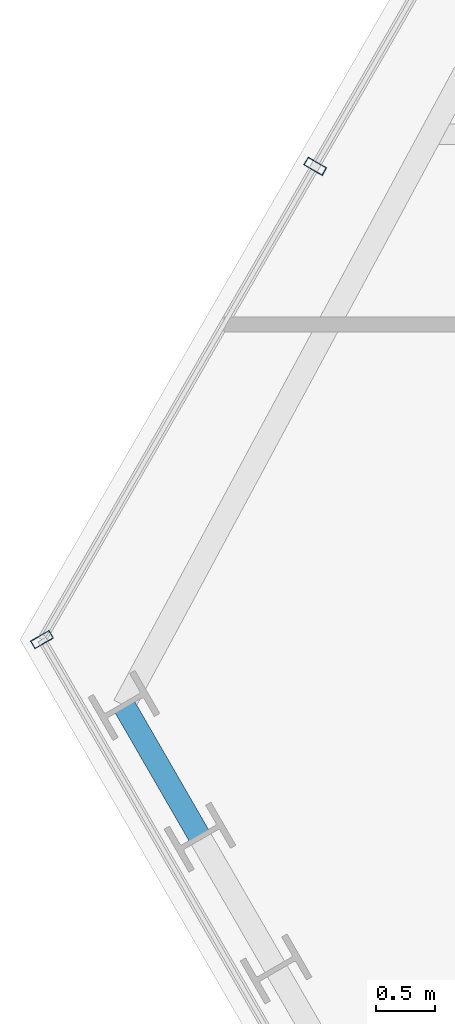
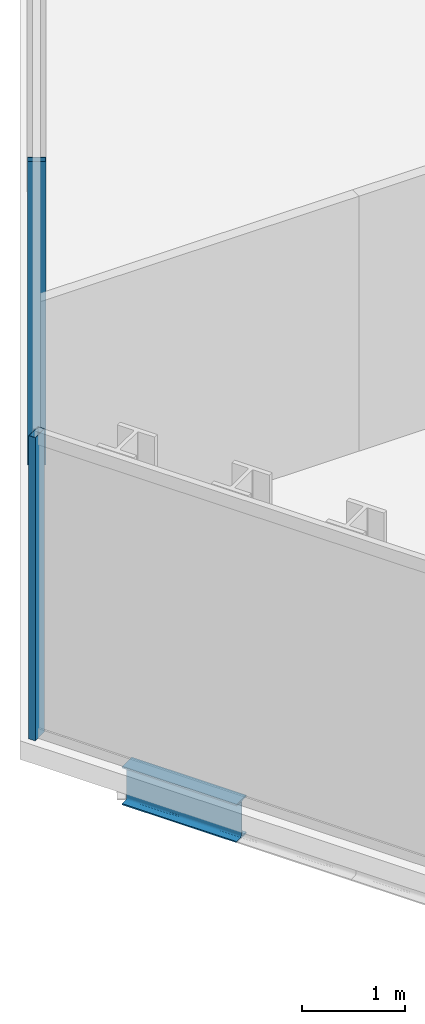
# One storey, part 5 of 33: 2 members, 1 beam, 2 elements without a shape of their own.
"""IFC4 building model written with IfcOpenShell, lengths in metres."""

from ifc_helpers import new_model, si_unit, direction, frame, origin, origin_2d, place, context, subcontext, project, spatial, hollow_rectangle, i_section, extrude, material, layer, layer_set, material_profile, profile_set, type_object, element, aggregate, save


model = new_model("IFC4")

# Units and contexts
model_context = context("Model", 3, precision=1e-05, world=origin(), true_north=direction((0.0, 1.0)))
body_context = subcontext(model_context, "Body", "Model", "MODEL_VIEW")
ifc_project = project(units=[si_unit("LENGTHUNIT", "METRE"), si_unit("AREAUNIT", "SQUARE_METRE"), si_unit("VOLUMEUNIT", "CUBIC_METRE"), si_unit("PLANEANGLEUNIT", "RADIAN"), si_unit("MASSUNIT", "GRAM", prefix="KILO")], contexts=[model_context])

# Site, building, storey
site_placement = place(None, origin())
site = spatial("IfcSite", under=ifc_project, at=site_placement, CompositionType="ELEMENT")
building_placement = place(site_placement, origin())
building = spatial("IfcBuilding", under=site, at=building_placement, Name="Ndaravel Arena Tower", CompositionType="ELEMENT")
storey_placement = place(building_placement, frame((0.0, 0.0, 165.0)))
storey = spatial("IfcBuildingStorey", under=building, at=storey_placement, Name="L39", CompositionType="ELEMENT", Elevation=165.0)

# Beam
ifc_material_1 = material(Name="Steel S355", Category="steel")
ifc_material_profile_1 = material_profile(ifc_material_1, i_section(OverallWidth=0.18994140625, OverallDepth=0.449951171875, WebThickness=0.009521484375, FlangeThickness=0.0146484375, FilletRadius=0.02099609375, at=origin_2d()), Name="IPE 450")
ifc_profile_set_1 = profile_set([ifc_material_profile_1], Name="Steel S355")
beam_type = type_object("IfcBeamType", Name="BM-SPAN-IPE450", PredefinedType="SPANDREL", material=ifc_profile_set_1)
beam_placement = place(storey_placement, frame((18.994140625, 13.794189453125, -0.445068359375), z_axis=(0.499893060024, -0.866087136806, 0.0), x_axis=(0.866087136806, 0.499893060024, 0.0)))
element("IfcBeam", 1, at=beam_placement, inside=storey, type_object=beam_type, Name="L39 Perimeter Spandrel Beam SP-20", PredefinedType="SPANDREL", context=body_context, shape_type="SweptSolid", body=[
    extrude(i_section(OverallWidth=0.18994140625, OverallDepth=0.449951171875, WebThickness=0.009521484375, FlangeThickness=0.0146484375, FilletRadius=0.02099609375, at=origin_2d()), origin(), (0.0, 0.0, 1.0), 1.280029296875),
])

# Curtain wall, member
ifc_material_2 = material(Name="Aluminium", Category="aluminium")
ifc_layer_1 = layer(ifc_material_2, 0.179931640625)
ifc_layer_set_1 = layer_set([ifc_layer_1], Name="Aluminium")
curtain_wall_type_1 = type_object("IfcCurtainWallType", Name="CW-SYS-03", PredefinedType="NOTDEFINED", material=ifc_layer_set_1)
curtain_wall_1_placement = place(storey_placement, origin())
curtain_wall_1 = element("IfcCurtainWall", 2, at=curtain_wall_1_placement, inside=storey, type_object=curtain_wall_type_1, Name="L39 Faceted Crystal Curtain Wall CW-L39-E05", PredefinedType="NOTDEFINED")
ifc_material_3 = material(Name="Aluminium", Category="aluminium")
ifc_material_profile_2 = material_profile(ifc_material_3, hollow_rectangle(XDim=0.074951171875, YDim=0.179931640625, WallThickness=0.00390625, at=origin_2d()), Name="CW MULLION 75x180x4")
ifc_profile_set_2 = profile_set([ifc_material_profile_2], Name="Aluminium")
member_type = type_object("IfcMemberType", Name="MEM-CW-MUL180", PredefinedType="MULLION", material=ifc_profile_set_2)
member_1_placement = place(storey_placement, frame((20.603515625, 18.330078125, 0.0), z_axis=(0.0, 0.0, 1.0), x_axis=(-0.5, -0.866025403784, 0.0)))
member_1 = element("IfcMember", 3, at=member_1_placement, type_object=member_type, Name="CW-L39-E05 Mullion 07", PredefinedType="MULLION", context=body_context, shape_type="SweptSolid", body=[
    extrude(hollow_rectangle(XDim=0.074951171875, YDim=0.179931640625, WallThickness=0.00390625, at=origin_2d()), origin(), (0.0, 0.0, 1.0), 3.580078125),
])
aggregate(curtain_wall_1, [member_1])

ifc_material_4 = material(Name="Aluminium", Category="aluminium")
ifc_layer_2 = layer(ifc_material_4, 0.179931640625)
ifc_layer_set_2 = layer_set([ifc_layer_2], Name="Aluminium")
curtain_wall_type_2 = type_object("IfcCurtainWallType", Name="CW-SYS-02", PredefinedType="NOTDEFINED", material=ifc_layer_set_2)
curtain_wall_2_placement = place(storey_placement, origin())
curtain_wall_2 = element("IfcCurtainWall", 4, at=curtain_wall_2_placement, inside=storey, type_object=curtain_wall_type_2, Name="L39 Faceted Crystal Curtain Wall CW-L39-E06", PredefinedType="NOTDEFINED")
member_2_placement = place(storey_placement, frame((18.3046875, 14.348388671875, 0.0), z_axis=(0.0, 0.0, 1.0), x_axis=(0.5, -0.866025403784, 0.0)))
member_2 = element("IfcMember", 5, at=member_2_placement, type_object=member_type, Name="CW-L39-E06 Mullion 00", PredefinedType="MULLION", context=body_context, shape_type="SweptSolid", body=[
    extrude(hollow_rectangle(XDim=0.074951171875, YDim=0.179931640625, WallThickness=0.00390625, at=origin_2d()), origin(), (0.0, 0.0, 1.0), 3.580078125),
])
aggregate(curtain_wall_2, [member_2])

save(model, "model.ifc")
